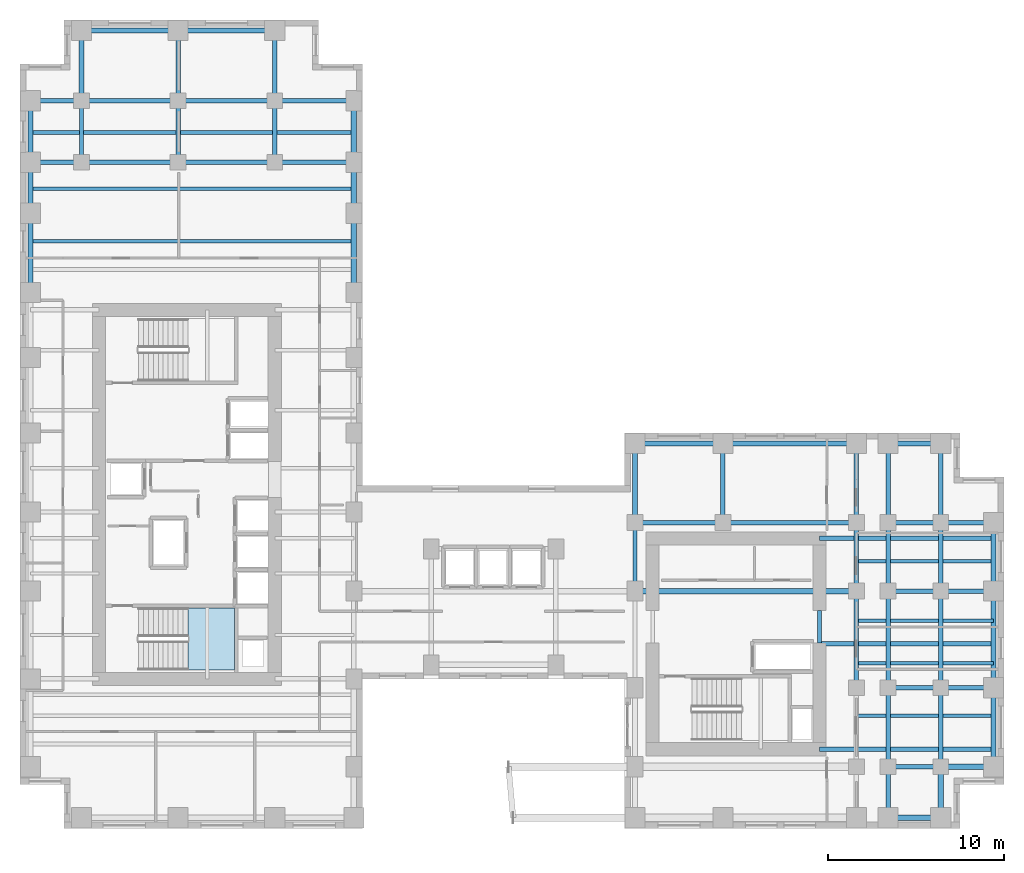
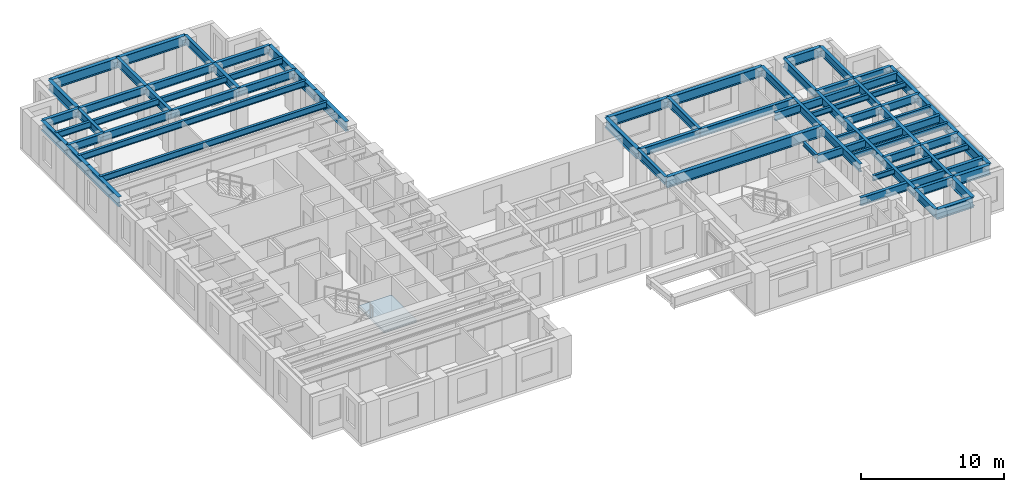
# One storey, part 4 of 14: 67 beams, 1 slab, 1 element without a shape of its own.
"""IFC4 building model written with IfcOpenShell, lengths in metres."""

from ifc_helpers import new_model, si_unit, direction, frame, origin, origin_2d, place, context, subcontext, project, spatial, polyline, i_section, outline, extrude, source, transform, mapped, material, layer, layer_set, material_profile, profile_set, type_object, element, aggregate, save


model = new_model("IFC4")

# Units and contexts
model_context = context("Model", 3, precision=1e-05, world=origin(), true_north=direction((0.0, 1.0)))
body_context = subcontext(model_context, "Body", "Model", "MODEL_VIEW")
ifc_project = project(units=[si_unit("LENGTHUNIT", "METRE"), si_unit("AREAUNIT", "SQUARE_METRE"), si_unit("VOLUMEUNIT", "CUBIC_METRE"), si_unit("PLANEANGLEUNIT", "RADIAN"), si_unit("MASSUNIT", "GRAM", prefix="KILO")], contexts=[model_context])

# Site, building, storey
site_placement = place(None, origin())
site = spatial("IfcSite", under=ifc_project, at=site_placement, CompositionType="ELEMENT")
building_placement = place(site_placement, origin())
building = spatial("IfcBuilding", under=site, at=building_placement, Name="Kharzan Plaza Tower", CompositionType="ELEMENT")
storey_placement = place(building_placement, frame((0.0, 0.0, 131.39990234375)))
storey = spatial("IfcBuildingStorey", under=building, at=storey_placement, Name="L35", CompositionType="ELEMENT", Elevation=131.39990234375)

# Beams
ifc_material_1 = material(Name="Steel S355", Category="steel")
ifc_material_profile_1 = material_profile(ifc_material_1, i_section(OverallWidth=0.205078125, OverallDepth=0.35400390625, WebThickness=0.009521484375, FlangeThickness=0.016845703125, at=origin_2d()), Name="W360x79")
ifc_profile_set_1 = profile_set([ifc_material_profile_1], Name="Steel S355")
beam_type_1 = type_object("IfcBeamType", Name="BM-LNT360", PredefinedType="LINTEL", material=ifc_profile_set_1)
shared_shape_1 = source(origin(), body_context, "Body", "SweptSolid", [
    extrude(i_section(OverallWidth=0.205078125, OverallDepth=0.35400390625, WebThickness=0.009521484375, FlangeThickness=0.016845703125, at=origin_2d()), origin(), (0.0, 0.0, 1.0), 1.849853515625),
])
beam_1_placement = place(storey_placement, frame((45.5, 10.550048828125, 3.203125), z_axis=(0.0, 1.0, 0.0), x_axis=(-1.0, 0.0, 0.0)))
element("IfcBeam", 1, at=beam_1_placement, inside=storey, type_object=beam_type_1, Name="L35 CORE-B coupling lintel LN1-WE", PredefinedType="LINTEL", context=body_context, shape_type="MappedRepresentation", body=[
    mapped(shared_shape_1, transform((0.0, 0.0, 0.0), x_axis=(1.0, 0.0, 0.0), y_axis=(0.0, 1.0, 0.0), z_axis=(0.0, 0.0, 1.0))),
])
ifc_material_profile_2 = material_profile(ifc_material_1, i_section(OverallWidth=0.304931640625, OverallDepth=0.9189453125, WebThickness=0.017333984375, FlangeThickness=0.02783203125, at=origin_2d()), Name="W920x253")
ifc_profile_set_2 = profile_set([ifc_material_profile_2], Name="Steel S355")
beam_type_2 = type_object("IfcBeamType", Name="BM-FG920B", PredefinedType="BEAM", material=ifc_profile_set_2)
shared_shape_2 = source(origin(), body_context, "Body", "SweptSolid", [
    extrude(i_section(OverallWidth=0.304931640625, OverallDepth=0.9189453125, WebThickness=0.017333984375, FlangeThickness=0.02783203125, at=origin_2d()), origin(), (0.0, 0.0, 1.0), 12.60009765625),
])
beam_2_placement = place(storey_placement, frame((35.0, 13.5, 2.920654296875), z_axis=(1.0, 0.0, 0.0), x_axis=(0.0, 1.0, 0.0)))
element("IfcBeam", 2, at=beam_2_placement, inside=storey, type_object=beam_type_2, Name="L35 Primary Floor Girder", PredefinedType="BEAM", context=body_context, shape_type="MappedRepresentation", body=[
    mapped(shared_shape_2, transform((0.0, 0.0, 0.0), x_axis=(1.0, 0.0, 0.0), y_axis=(0.0, 1.0, 0.0), z_axis=(0.0, 0.0, 1.0))),
])
ifc_material_profile_3 = material_profile(ifc_material_1, i_section(OverallWidth=0.2099609375, OverallDepth=0.537109375, WebThickness=0.010986328125, FlangeThickness=0.017333984375, at=origin_2d()), Name="W530x101")
ifc_profile_set_3 = profile_set([ifc_material_profile_3], Name="Steel S355")
beam_type_3 = type_object("IfcBeamType", Name="BM-JST530B", PredefinedType="JOIST", material=ifc_profile_set_3)
shared_shape_3 = source(origin(), body_context, "Body", "SweptSolid", [
    extrude(i_section(OverallWidth=0.2099609375, OverallDepth=0.537109375, WebThickness=0.010986328125, FlangeThickness=0.017333984375, at=origin_2d()), origin(), (0.0, 0.0, 1.0), 18.39990234375),
])
for number, where, z_axis, x_axis, name in (
    (3, (0.60009765625, 33.39990234375, 3.111572265625), (1.0, 0.0, 0.0), (0.0, 1.0, 0.0), "L35 Wing A Composite Joist 05"),
    (4, (0.60009765625, 36.39990234375, 3.111572265625), (1.0, 0.0, 0.0), (0.0, 1.0, 0.0), "L35 Wing A Composite Joist 06"),
    (5, (0.60009765625, 39.60009765625, 3.111572265625), (1.0, 0.0, 0.0), (0.0, 1.0, 0.0), "L35 Wing A Composite Joist 07"),
):
    element("IfcBeam", number, at=place(storey_placement, frame(where, z_axis=z_axis, x_axis=x_axis)), inside=storey, type_object=beam_type_3, Name=name, PredefinedType="JOIST", context=body_context, shape_type="MappedRepresentation", body=[
        mapped(shared_shape_3, transform((0.0, 0.0, 0.0), x_axis=(1.0, 0.0, 0.0), y_axis=(0.0, 1.0, 0.0), z_axis=(0.0, 0.0, 1.0))),
    ])
ifc_material_profile_4 = material_profile(ifc_material_1, i_section(OverallWidth=0.25390625, OverallDepth=0.68798828125, WebThickness=0.01318359375, FlangeThickness=0.02099609375, at=origin_2d()), Name="W690x152")
ifc_profile_set_4 = profile_set([ifc_material_profile_4], Name="Steel S355")
beam_type_4 = type_object("IfcBeamType", Name="BM-FG690B", PredefinedType="BEAM", material=ifc_profile_set_4)
shared_shape_4 = source(origin(), body_context, "Body", "SweptSolid", [
    extrude(i_section(OverallWidth=0.25390625, OverallDepth=0.68798828125, WebThickness=0.01318359375, FlangeThickness=0.02099609375, at=origin_2d()), origin(), (0.0, 0.0, 1.0), 4.5),
])
for number, where, z_axis, x_axis, name in (
    (6, (40.0, 17.39990234375, 3.0361328125), (0.0, 1.0, 0.0), (-1.0, 0.0, 0.0), "L35 Interior Frame Girder"),
    (7, (47.60009765625, 17.39990234375, 3.0361328125), (0.0, 1.0, 0.0), (-1.0, 0.0, 0.0), "L35 Interior Frame Girder"),
    (8, (49.39990234375, 3.5, 3.0361328125), (0.0, 1.0, 0.0), (-1.0, 0.0, 0.0), "L35 Interior Frame Girder"),
    (9, (49.39990234375, 17.39990234375, 3.0361328125), (0.0, 1.0, 0.0), (-1.0, 0.0, 0.0), "L35 Interior Frame Girder"),
    (10, (52.39990234375, 3.5, 3.0361328125), (0.0, 1.0, 0.0), (-1.0, 0.0, 0.0), "L35 Interior Frame Girder"),
    (11, (52.39990234375, 17.39990234375, 3.0361328125), (0.0, 1.0, 0.0), (-1.0, 0.0, 0.0), "L35 Interior Frame Girder"),
    (12, (14.5, 37.89990234375, 3.0361328125), (1.0, 0.0, 0.0), (0.0, 1.0, 0.0), "L35 Primary Floor Girder"),
    (13, (14.5, 41.39990234375, 3.0361328125), (1.0, 0.0, 0.0), (0.0, 1.0, 0.0), "L35 Primary Floor Girder"),
):
    element("IfcBeam", number, at=place(storey_placement, frame(where, z_axis=z_axis, x_axis=x_axis)), inside=storey, type_object=beam_type_4, Name=name, PredefinedType="BEAM", context=body_context, shape_type="MappedRepresentation", body=[
        mapped(shared_shape_4, transform((0.0, 0.0, 0.0), x_axis=(1.0, 0.0, 0.0), y_axis=(0.0, 1.0, 0.0), z_axis=(0.0, 0.0, 1.0))),
    ])
shared_shape_5 = source(origin(), body_context, "Body", "SweptSolid", [
    extrude(i_section(OverallWidth=0.25390625, OverallDepth=0.68798828125, WebThickness=0.01318359375, FlangeThickness=0.02099609375, at=origin_2d()), origin(), (0.0, 0.0, 1.0), 3.89990234375),
])
for number, where, z_axis, x_axis, name in (
    (14, (35.0, 13.5, 3.0361328125), (0.0, 1.0, 0.0), (-1.0, 0.0, 0.0), "L35 Interior Frame Girder"),
    (15, (47.60009765625, 13.5, 3.0361328125), (0.0, 1.0, 0.0), (-1.0, 0.0, 0.0), "L35 Interior Frame Girder"),
    (16, (49.39990234375, 13.5, 3.0361328125), (0.0, 1.0, 0.0), (-1.0, 0.0, 0.0), "L35 Interior Frame Girder"),
    (17, (52.39990234375, 13.5, 3.0361328125), (0.0, 1.0, 0.0), (-1.0, 0.0, 0.0), "L35 Interior Frame Girder"),
):
    element("IfcBeam", number, at=place(storey_placement, frame(where, z_axis=z_axis, x_axis=x_axis)), inside=storey, type_object=beam_type_4, Name=name, PredefinedType="BEAM", context=body_context, shape_type="MappedRepresentation", body=[
        mapped(shared_shape_5, transform((0.0, 0.0, 0.0), x_axis=(1.0, 0.0, 0.0), y_axis=(0.0, 1.0, 0.0), z_axis=(0.0, 0.0, 1.0))),
    ])
shared_shape_6 = source(origin(), body_context, "Body", "SweptSolid", [
    extrude(i_section(OverallWidth=0.25390625, OverallDepth=0.68798828125, WebThickness=0.01318359375, FlangeThickness=0.02099609375, at=origin_2d()), origin(), (0.0, 0.0, 1.0), 9.89990234375),
])
for number, where, z_axis, x_axis, name in (
    (18, (45.5, 4.5, 3.0361328125), (1.0, 0.0, 0.0), (0.0, 1.0, 0.0), "L35 Core-B East Floor Girder 1"),
    (19, (45.5, 10.5, 3.0361328125), (1.0, 0.0, 0.0), (0.0, 1.0, 0.0), "L35 Core-B East Floor Girder 2"),
    (20, (45.5, 16.5, 3.0361328125), (1.0, 0.0, 0.0), (0.0, 1.0, 0.0), "L35 Core-B East Floor Girder 3"),
):
    element("IfcBeam", number, at=place(storey_placement, frame(where, z_axis=z_axis, x_axis=x_axis)), inside=storey, type_object=beam_type_4, Name=name, PredefinedType="BEAM", context=body_context, shape_type="MappedRepresentation", body=[
        mapped(shared_shape_6, transform((0.0, 0.0, 0.0), x_axis=(1.0, 0.0, 0.0), y_axis=(0.0, 1.0, 0.0), z_axis=(0.0, 0.0, 1.0))),
    ])
shared_shape_7 = source(origin(), body_context, "Body", "SweptSolid", [
    extrude(i_section(OverallWidth=0.25390625, OverallDepth=0.68798828125, WebThickness=0.01318359375, FlangeThickness=0.02099609375, at=origin_2d()), origin(), (0.0, 0.0, 1.0), 3.5),
])
for number, where, z_axis, x_axis, name in (
    (21, (3.5, 37.89990234375, 3.0361328125), (0.0, 1.0, 0.0), (-1.0, 0.0, 0.0), "L35 Interior Frame Girder"),
    (22, (9.0, 37.89990234375, 3.0361328125), (0.0, 1.0, 0.0), (-1.0, 0.0, 0.0), "L35 Interior Frame Girder"),
    (23, (14.5, 37.89990234375, 3.0361328125), (0.0, 1.0, 0.0), (-1.0, 0.0, 0.0), "L35 Interior Frame Girder"),
):
    element("IfcBeam", number, at=place(storey_placement, frame(where, z_axis=z_axis, x_axis=x_axis)), inside=storey, type_object=beam_type_4, Name=name, PredefinedType="BEAM", context=body_context, shape_type="MappedRepresentation", body=[
        mapped(shared_shape_7, transform((0.0, 0.0, 0.0), x_axis=(1.0, 0.0, 0.0), y_axis=(0.0, 1.0, 0.0), z_axis=(0.0, 0.0, 1.0))),
    ])
shared_shape_8 = source(origin(), body_context, "Body", "SweptSolid", [
    extrude(i_section(OverallWidth=0.25390625, OverallDepth=0.68798828125, WebThickness=0.01318359375, FlangeThickness=0.02099609375, at=origin_2d()), origin(), (0.0, 0.0, 1.0), 4.0),
])
for number, where, z_axis, x_axis, name in (
    (24, (9.0, 41.39990234375, 3.0361328125), (0.0, 1.0, 0.0), (-1.0, 0.0, 0.0), "L35 Interior Frame Girder"),
    (25, (14.5, 41.39990234375, 3.0361328125), (0.0, 1.0, 0.0), (-1.0, 0.0, 0.0), "L35 Interior Frame Girder"),
):
    element("IfcBeam", number, at=place(storey_placement, frame(where, z_axis=z_axis, x_axis=x_axis)), inside=storey, type_object=beam_type_4, Name=name, PredefinedType="BEAM", context=body_context, shape_type="MappedRepresentation", body=[
        mapped(shared_shape_8, transform((0.0, 0.0, 0.0), x_axis=(1.0, 0.0, 0.0), y_axis=(0.0, 1.0, 0.0), z_axis=(0.0, 0.0, 1.0))),
    ])
shared_shape_9 = source(origin(), body_context, "Body", "SweptSolid", [
    extrude(i_section(OverallWidth=0.25390625, OverallDepth=0.68798828125, WebThickness=0.01318359375, FlangeThickness=0.02099609375, at=origin_2d()), origin(), (0.0, 0.0, 1.0), 5.0),
])
beam_3_placement = place(storey_placement, frame((35.0, 17.39990234375, 3.0361328125), z_axis=(1.0, 0.0, 0.0), x_axis=(0.0, 1.0, 0.0)))
element("IfcBeam", 26, at=beam_3_placement, inside=storey, type_object=beam_type_4, Name="L35 Primary Floor Girder", PredefinedType="BEAM", context=body_context, shape_type="MappedRepresentation", body=[
    mapped(shared_shape_9, transform((0.0, 0.0, 0.0), x_axis=(1.0, 0.0, 0.0), y_axis=(0.0, 1.0, 0.0), z_axis=(0.0, 0.0, 1.0))),
])
shared_shape_10 = source(origin(), body_context, "Body", "SweptSolid", [
    extrude(i_section(OverallWidth=0.25390625, OverallDepth=0.68798828125, WebThickness=0.01318359375, FlangeThickness=0.02099609375, at=origin_2d()), origin(), (0.0, 0.0, 1.0), 5.5),
])
for number, where, z_axis, x_axis, name in (
    (27, (47.60009765625, 8.0, 3.0361328125), (0.0, 1.0, 0.0), (-1.0, 0.0, 0.0), "L35 Interior Frame Girder"),
    (28, (49.39990234375, 8.0, 3.0361328125), (0.0, 1.0, 0.0), (-1.0, 0.0, 0.0), "L35 Interior Frame Girder"),
    (29, (52.39990234375, 8.0, 3.0361328125), (0.0, 1.0, 0.0), (-1.0, 0.0, 0.0), "L35 Interior Frame Girder"),
    (30, (3.5, 37.89990234375, 3.0361328125), (1.0, 0.0, 0.0), (0.0, 1.0, 0.0), "L35 Primary Floor Girder"),
    (31, (9.0, 37.89990234375, 3.0361328125), (1.0, 0.0, 0.0), (0.0, 1.0, 0.0), "L35 Primary Floor Girder"),
    (32, (3.5, 41.39990234375, 3.0361328125), (1.0, 0.0, 0.0), (0.0, 1.0, 0.0), "L35 Primary Floor Girder"),
    (33, (9.0, 41.39990234375, 3.0361328125), (1.0, 0.0, 0.0), (0.0, 1.0, 0.0), "L35 Primary Floor Girder"),
):
    element("IfcBeam", number, at=place(storey_placement, frame(where, z_axis=z_axis, x_axis=x_axis)), inside=storey, type_object=beam_type_4, Name=name, PredefinedType="BEAM", context=body_context, shape_type="MappedRepresentation", body=[
        mapped(shared_shape_10, transform((0.0, 0.0, 0.0), x_axis=(1.0, 0.0, 0.0), y_axis=(0.0, 1.0, 0.0), z_axis=(0.0, 0.0, 1.0))),
    ])
shared_shape_11 = source(origin(), body_context, "Body", "SweptSolid", [
    extrude(i_section(OverallWidth=0.25390625, OverallDepth=0.68798828125, WebThickness=0.01318359375, FlangeThickness=0.02099609375, at=origin_2d()), origin(), (0.0, 0.0, 1.0), 2.89990234375),
])
for number, where, z_axis, x_axis, name in (
    (34, (49.39990234375, 0.60009765625, 3.0361328125), (0.0, 1.0, 0.0), (-1.0, 0.0, 0.0), "L35 Interior Frame Girder"),
    (35, (0.60009765625, 37.89990234375, 3.0361328125), (1.0, 0.0, 0.0), (0.0, 1.0, 0.0), "L35 Primary Floor Girder"),
    (36, (0.60009765625, 41.39990234375, 3.0361328125), (1.0, 0.0, 0.0), (0.0, 1.0, 0.0), "L35 Primary Floor Girder"),
):
    element("IfcBeam", number, at=place(storey_placement, frame(where, z_axis=z_axis, x_axis=x_axis)), inside=storey, type_object=beam_type_4, Name=name, PredefinedType="BEAM", context=body_context, shape_type="MappedRepresentation", body=[
        mapped(shared_shape_11, transform((0.0, 0.0, 0.0), x_axis=(1.0, 0.0, 0.0), y_axis=(0.0, 1.0, 0.0), z_axis=(0.0, 0.0, 1.0))),
    ])
shared_shape_12 = source(origin(), body_context, "Body", "SweptSolid", [
    extrude(i_section(OverallWidth=0.25390625, OverallDepth=0.68798828125, WebThickness=0.01318359375, FlangeThickness=0.02099609375, at=origin_2d()), origin(), (0.0, 0.0, 1.0), 3.0),
])
for number, where, z_axis, x_axis, name in (
    (37, (49.39990234375, 3.5, 3.0361328125), (1.0, 0.0, 0.0), (0.0, 1.0, 0.0), "L35 Primary Floor Girder"),
    (38, (49.39990234375, 8.0, 3.0361328125), (1.0, 0.0, 0.0), (0.0, 1.0, 0.0), "L35 Primary Floor Girder"),
    (39, (52.39990234375, 8.0, 3.0361328125), (1.0, 0.0, 0.0), (0.0, 1.0, 0.0), "L35 Primary Floor Girder"),
    (40, (49.39990234375, 13.5, 3.0361328125), (1.0, 0.0, 0.0), (0.0, 1.0, 0.0), "L35 Primary Floor Girder"),
    (41, (52.39990234375, 13.5, 3.0361328125), (1.0, 0.0, 0.0), (0.0, 1.0, 0.0), "L35 Primary Floor Girder"),
    (42, (49.39990234375, 17.39990234375, 3.0361328125), (1.0, 0.0, 0.0), (0.0, 1.0, 0.0), "L35 Primary Floor Girder"),
    (43, (52.39990234375, 17.39990234375, 3.0361328125), (1.0, 0.0, 0.0), (0.0, 1.0, 0.0), "L35 Primary Floor Girder"),
):
    element("IfcBeam", number, at=place(storey_placement, frame(where, z_axis=z_axis, x_axis=x_axis)), inside=storey, type_object=beam_type_4, Name=name, PredefinedType="BEAM", context=body_context, shape_type="MappedRepresentation", body=[
        mapped(shared_shape_12, transform((0.0, 0.0, 0.0), x_axis=(1.0, 0.0, 0.0), y_axis=(0.0, 1.0, 0.0), z_axis=(0.0, 0.0, 1.0))),
    ])
shared_shape_13 = source(origin(), body_context, "Body", "SweptSolid", [
    extrude(i_section(OverallWidth=0.25390625, OverallDepth=0.68798828125, WebThickness=0.01318359375, FlangeThickness=0.02099609375, at=origin_2d()), origin(), (0.0, 0.0, 1.0), 7.60009765625),
])
beam_4_placement = place(storey_placement, frame((40.0, 17.39990234375, 3.0361328125), z_axis=(1.0, 0.0, 0.0), x_axis=(0.0, 1.0, 0.0)))
element("IfcBeam", 44, at=beam_4_placement, inside=storey, type_object=beam_type_4, Name="L35 Primary Floor Girder", PredefinedType="BEAM", context=body_context, shape_type="MappedRepresentation", body=[
    mapped(shared_shape_13, transform((0.0, 0.0, 0.0), x_axis=(1.0, 0.0, 0.0), y_axis=(0.0, 1.0, 0.0), z_axis=(0.0, 0.0, 1.0))),
])
ifc_material_profile_5 = material_profile(ifc_material_1, i_section(OverallWidth=0.194091796875, OverallDepth=0.468994140625, WebThickness=0.011474609375, FlangeThickness=0.0205078125, at=origin_2d()), Name="W460x106")
ifc_profile_set_5 = profile_set([ifc_material_profile_5], Name="Steel S355")
beam_type_5 = type_object("IfcBeamType", Name="BM-JST460", PredefinedType="JOIST", material=ifc_profile_set_5)
shared_shape_14 = source(origin(), body_context, "Body", "SweptSolid", [
    extrude(i_section(OverallWidth=0.194091796875, OverallDepth=0.468994140625, WebThickness=0.011474609375, FlangeThickness=0.0205078125, at=origin_2d()), origin(), (0.0, 0.0, 1.0), 7.7998046875),
])
for number, where, z_axis, x_axis, name in (
    (45, (47.60009765625, 6.39990234375, 3.1455078125), (1.0, 0.0, 0.0), (0.0, 1.0, 0.0), "L35 Wing B Composite Joist 02"),
    (46, (47.60009765625, 9.39990234375, 3.1455078125), (1.0, 0.0, 0.0), (0.0, 1.0, 0.0), "L35 Wing B Composite Joist 03"),
    (47, (47.60009765625, 11.800048828125, 3.1455078125), (1.0, 0.0, 0.0), (0.0, 1.0, 0.0), "L35 Wing B Composite Joist 04"),
    (48, (47.60009765625, 15.199951171875, 3.1455078125), (1.0, 0.0, 0.0), (0.0, 1.0, 0.0), "L35 Wing B Composite Joist 05"),
):
    element("IfcBeam", number, at=place(storey_placement, frame(where, z_axis=z_axis, x_axis=x_axis)), inside=storey, type_object=beam_type_5, Name=name, PredefinedType="JOIST", context=body_context, shape_type="MappedRepresentation", body=[
        mapped(shared_shape_14, transform((0.0, 0.0, 0.0), x_axis=(1.0, 0.0, 0.0), y_axis=(0.0, 1.0, 0.0), z_axis=(0.0, 0.0, 1.0))),
    ])
ifc_material_profile_6 = material_profile(ifc_material_1, i_section(OverallWidth=0.299072265625, OverallDepth=0.845947265625, WebThickness=0.015380859375, FlangeThickness=0.0244140625, at=origin_2d()), Name="W840x210")
ifc_profile_set_6 = profile_set([ifc_material_profile_6], Name="Steel S355")
beam_type_6 = type_object("IfcBeamType", Name="BM-SP840B", PredefinedType="SPANDREL", material=ifc_profile_set_6)
shared_shape_15 = source(origin(), body_context, "Body", "SweptSolid", [
    extrude(i_section(OverallWidth=0.299072265625, OverallDepth=0.845947265625, WebThickness=0.015380859375, FlangeThickness=0.0244140625, at=origin_2d()), origin(), (0.0, 0.0, 1.0), 5.0),
])
beam_5_placement = place(storey_placement, frame((35.0, 21.89990234375, 2.95703125), z_axis=(1.0, 0.0, 0.0), x_axis=(0.0, 1.0, 0.0)))
element("IfcBeam", 49, at=beam_5_placement, inside=storey, type_object=beam_type_6, Name="L35 Perimeter Tube Spandrel", PredefinedType="SPANDREL", context=body_context, shape_type="MappedRepresentation", body=[
    mapped(shared_shape_15, transform((0.0, 0.0, 0.0), x_axis=(1.0, 0.0, 0.0), y_axis=(0.0, 1.0, 0.0), z_axis=(0.0, 0.0, 1.0))),
])
shared_shape_16 = source(origin(), body_context, "Body", "SweptSolid", [
    extrude(i_section(OverallWidth=0.299072265625, OverallDepth=0.845947265625, WebThickness=0.015380859375, FlangeThickness=0.0244140625, at=origin_2d()), origin(), (0.0, 0.0, 1.0), 4.5),
])
for number, where, z_axis, x_axis, name in (
    (50, (0.60009765625, 30.5, 2.95703125), (0.0, 1.0, 0.0), (-1.0, 0.0, 0.0), "L35 Perimeter Tube Spandrel"),
    (51, (19.0, 30.5, 2.95703125), (0.0, 1.0, 0.0), (-1.0, 0.0, 0.0), "L35 Perimeter Tube Spandrel"),
    (52, (35.0, 17.39990234375, 2.95703125), (0.0, 1.0, 0.0), (-1.0, 0.0, 0.0), "L35 Perimeter Tube Spandrel"),
    (53, (55.39990234375, 3.5, 2.95703125), (0.0, 1.0, 0.0), (-1.0, 0.0, 0.0), "L35 Perimeter Tube Spandrel"),
):
    element("IfcBeam", number, at=place(storey_placement, frame(where, z_axis=z_axis, x_axis=x_axis)), inside=storey, type_object=beam_type_6, Name=name, PredefinedType="SPANDREL", context=body_context, shape_type="MappedRepresentation", body=[
        mapped(shared_shape_16, transform((0.0, 0.0, 0.0), x_axis=(1.0, 0.0, 0.0), y_axis=(0.0, 1.0, 0.0), z_axis=(0.0, 0.0, 1.0))),
    ])
shared_shape_17 = source(origin(), body_context, "Body", "SweptSolid", [
    extrude(i_section(OverallWidth=0.299072265625, OverallDepth=0.845947265625, WebThickness=0.015380859375, FlangeThickness=0.0244140625, at=origin_2d()), origin(), (0.0, 0.0, 1.0), 2.89990234375),
])
for number, where, z_axis, x_axis, name in (
    (54, (0.60009765625, 35.0, 2.95703125), (0.0, 1.0, 0.0), (-1.0, 0.0, 0.0), "L35 Perimeter Tube Spandrel"),
    (55, (19.0, 35.0, 2.95703125), (0.0, 1.0, 0.0), (-1.0, 0.0, 0.0), "L35 Perimeter Tube Spandrel"),
    (56, (52.39990234375, 0.60009765625, 2.95703125), (0.0, 1.0, 0.0), (-1.0, 0.0, 0.0), "L35 Perimeter Tube Spandrel"),
):
    element("IfcBeam", number, at=place(storey_placement, frame(where, z_axis=z_axis, x_axis=x_axis)), inside=storey, type_object=beam_type_6, Name=name, PredefinedType="SPANDREL", context=body_context, shape_type="MappedRepresentation", body=[
        mapped(shared_shape_17, transform((0.0, 0.0, 0.0), x_axis=(1.0, 0.0, 0.0), y_axis=(0.0, 1.0, 0.0), z_axis=(0.0, 0.0, 1.0))),
    ])
shared_shape_18 = source(origin(), body_context, "Body", "SweptSolid", [
    extrude(i_section(OverallWidth=0.299072265625, OverallDepth=0.845947265625, WebThickness=0.015380859375, FlangeThickness=0.0244140625, at=origin_2d()), origin(), (0.0, 0.0, 1.0), 3.5),
])
for number, where, z_axis, x_axis, name in (
    (57, (0.60009765625, 37.89990234375, 2.95703125), (0.0, 1.0, 0.0), (-1.0, 0.0, 0.0), "L35 Perimeter Tube Spandrel"),
    (58, (19.0, 37.89990234375, 2.95703125), (0.0, 1.0, 0.0), (-1.0, 0.0, 0.0), "L35 Perimeter Tube Spandrel"),
):
    element("IfcBeam", number, at=place(storey_placement, frame(where, z_axis=z_axis, x_axis=x_axis)), inside=storey, type_object=beam_type_6, Name=name, PredefinedType="SPANDREL", context=body_context, shape_type="MappedRepresentation", body=[
        mapped(shared_shape_18, transform((0.0, 0.0, 0.0), x_axis=(1.0, 0.0, 0.0), y_axis=(0.0, 1.0, 0.0), z_axis=(0.0, 0.0, 1.0))),
    ])
shared_shape_19 = source(origin(), body_context, "Body", "SweptSolid", [
    extrude(i_section(OverallWidth=0.299072265625, OverallDepth=0.845947265625, WebThickness=0.015380859375, FlangeThickness=0.0244140625, at=origin_2d()), origin(), (0.0, 0.0, 1.0), 4.0),
])
beam_6_placement = place(storey_placement, frame((3.5, 41.39990234375, 2.95703125), z_axis=(0.0, 1.0, 0.0), x_axis=(-1.0, 0.0, 0.0)))
element("IfcBeam", 59, at=beam_6_placement, inside=storey, type_object=beam_type_6, Name="L35 Perimeter Tube Spandrel", PredefinedType="SPANDREL", context=body_context, shape_type="MappedRepresentation", body=[
    mapped(shared_shape_19, transform((0.0, 0.0, 0.0), x_axis=(1.0, 0.0, 0.0), y_axis=(0.0, 1.0, 0.0), z_axis=(0.0, 0.0, 1.0))),
])
shared_shape_20 = source(origin(), body_context, "Body", "SweptSolid", [
    extrude(i_section(OverallWidth=0.299072265625, OverallDepth=0.845947265625, WebThickness=0.015380859375, FlangeThickness=0.0244140625, at=origin_2d()), origin(), (0.0, 0.0, 1.0), 5.5),
])
for number, where, z_axis, x_axis, name in (
    (60, (55.39990234375, 8.0, 2.95703125), (0.0, 1.0, 0.0), (-1.0, 0.0, 0.0), "L35 Perimeter Tube Spandrel"),
    (61, (3.5, 45.39990234375, 2.95703125), (1.0, 0.0, 0.0), (0.0, 1.0, 0.0), "L35 Perimeter Tube Spandrel"),
    (62, (9.0, 45.39990234375, 2.95703125), (1.0, 0.0, 0.0), (0.0, 1.0, 0.0), "L35 Perimeter Tube Spandrel"),
):
    element("IfcBeam", number, at=place(storey_placement, frame(where, z_axis=z_axis, x_axis=x_axis)), inside=storey, type_object=beam_type_6, Name=name, PredefinedType="SPANDREL", context=body_context, shape_type="MappedRepresentation", body=[
        mapped(shared_shape_20, transform((0.0, 0.0, 0.0), x_axis=(1.0, 0.0, 0.0), y_axis=(0.0, 1.0, 0.0), z_axis=(0.0, 0.0, 1.0))),
    ])
shared_shape_21 = source(origin(), body_context, "Body", "SweptSolid", [
    extrude(i_section(OverallWidth=0.299072265625, OverallDepth=0.845947265625, WebThickness=0.015380859375, FlangeThickness=0.0244140625, at=origin_2d()), origin(), (0.0, 0.0, 1.0), 3.89990234375),
])
beam_7_placement = place(storey_placement, frame((55.39990234375, 13.5, 2.95703125), z_axis=(0.0, 1.0, 0.0), x_axis=(-1.0, 0.0, 0.0)))
element("IfcBeam", 63, at=beam_7_placement, inside=storey, type_object=beam_type_6, Name="L35 Perimeter Tube Spandrel", PredefinedType="SPANDREL", context=body_context, shape_type="MappedRepresentation", body=[
    mapped(shared_shape_21, transform((0.0, 0.0, 0.0), x_axis=(1.0, 0.0, 0.0), y_axis=(0.0, 1.0, 0.0), z_axis=(0.0, 0.0, 1.0))),
])
shared_shape_22 = source(origin(), body_context, "Body", "SweptSolid", [
    extrude(i_section(OverallWidth=0.299072265625, OverallDepth=0.845947265625, WebThickness=0.015380859375, FlangeThickness=0.0244140625, at=origin_2d()), origin(), (0.0, 0.0, 1.0), 7.60009765625),
])
beam_8_placement = place(storey_placement, frame((40.0, 21.89990234375, 2.95703125), z_axis=(1.0, 0.0, 0.0), x_axis=(0.0, 1.0, 0.0)))
element("IfcBeam", 64, at=beam_8_placement, inside=storey, type_object=beam_type_6, Name="L35 Perimeter Tube Spandrel", PredefinedType="SPANDREL", context=body_context, shape_type="MappedRepresentation", body=[
    mapped(shared_shape_22, transform((0.0, 0.0, 0.0), x_axis=(1.0, 0.0, 0.0), y_axis=(0.0, 1.0, 0.0), z_axis=(0.0, 0.0, 1.0))),
])
shared_shape_23 = source(origin(), body_context, "Body", "SweptSolid", [
    extrude(i_section(OverallWidth=0.299072265625, OverallDepth=0.845947265625, WebThickness=0.015380859375, FlangeThickness=0.0244140625, at=origin_2d()), origin(), (0.0, 0.0, 1.0), 3.0),
])
for number, where, z_axis, x_axis, name in (
    (65, (49.39990234375, 0.60009765625, 2.95703125), (1.0, 0.0, 0.0), (0.0, 1.0, 0.0), "L35 Perimeter Tube Spandrel"),
    (66, (52.39990234375, 3.5, 2.95703125), (1.0, 0.0, 0.0), (0.0, 1.0, 0.0), "L35 Perimeter Tube Spandrel"),
    (67, (49.39990234375, 21.89990234375, 2.95703125), (1.0, 0.0, 0.0), (0.0, 1.0, 0.0), "L35 Perimeter Tube Spandrel"),
):
    element("IfcBeam", number, at=place(storey_placement, frame(where, z_axis=z_axis, x_axis=x_axis)), inside=storey, type_object=beam_type_6, Name=name, PredefinedType="SPANDREL", context=body_context, shape_type="MappedRepresentation", body=[
        mapped(shared_shape_23, transform((0.0, 0.0, 0.0), x_axis=(1.0, 0.0, 0.0), y_axis=(0.0, 1.0, 0.0), z_axis=(0.0, 0.0, 1.0))),
    ])

# Stair, slab
ifc_material_2 = material(Name="Concrete C40/50", Category="concrete")
stair_type = type_object("IfcStairType", Name="STR-ST-1", PredefinedType="HALF_TURN_STAIR", material=ifc_material_2)
stair_placement = place(storey_placement, origin())
stair = element("IfcStair", 68, at=stair_placement, inside=storey, type_object=stair_type, Name="L35 Protected Exit Stair ST-1", PredefinedType="HALF_TURN_STAIR")
ifc_layer = layer(ifc_material_2, 0.219970703125)
ifc_layer_set = layer_set([ifc_layer], Name="Concrete C40/50")
slab_type = type_object("IfcSlabType", Name="SL-LANDING-220", PredefinedType="LANDING", material=ifc_layer_set)
slab_placement = place(storey_placement, frame((0.0, 0.0, 1.60009765625)))
slab = element("IfcSlab", 69, at=slab_placement, type_object=slab_type, Name="ST-1 landing 1", PredefinedType="LANDING", context=body_context, shape_type="SweptSolid", body=[
    extrude(outline(polyline([(9.550048828125, 9.0), (12.199951171875, 9.0), (12.199951171875, 12.550048828125), (9.550048828125, 12.550048828125), (9.550048828125, 9.0)])), origin(), (0.0, 0.0, 1.0), 0.199951171875),
])
aggregate(stair, [slab])

save(model, "model.ifc")
